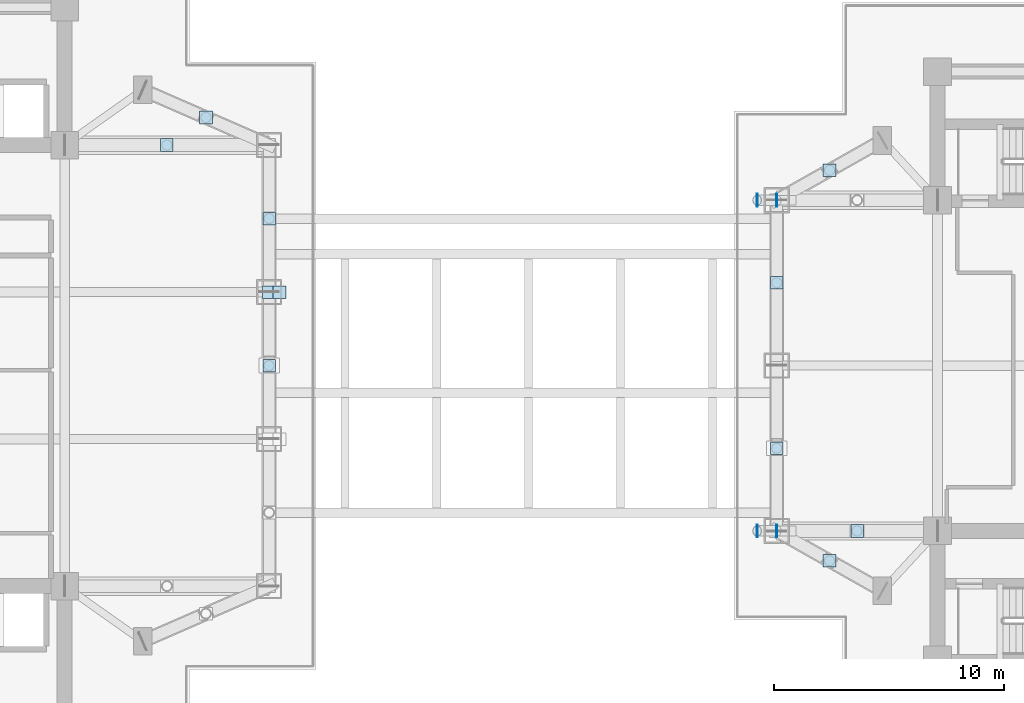
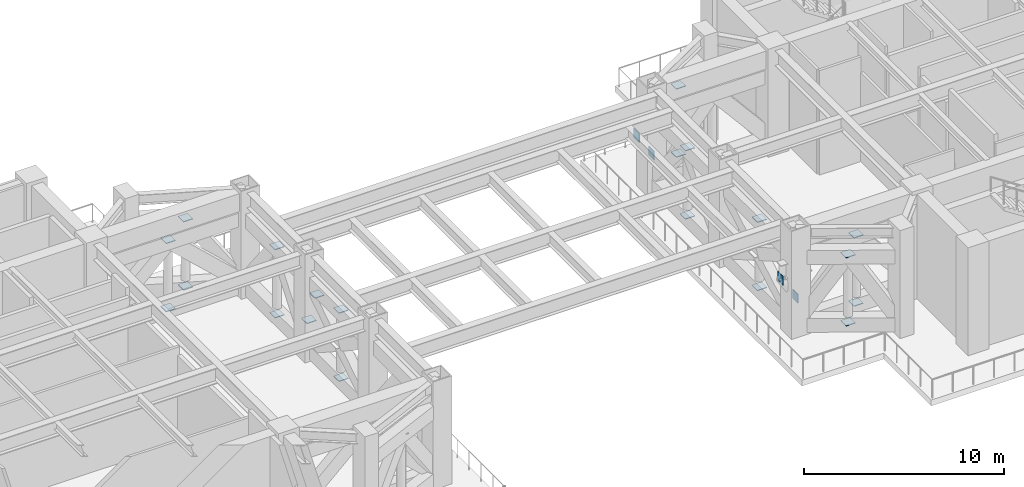
# One storey, part 10 of 21: 24 plates.
"""IFC4 building model written with IfcOpenShell, lengths in metres."""

from ifc_helpers import new_model, si_unit, direction, frame, origin, origin_2d, place, context, subcontext, project, spatial, rectangle, extrude, material, layer, layer_set, type_object, element, save


model = new_model("IFC4")

# Units and contexts
model_context = context("Model", 3, precision=1e-05, world=origin(), true_north=direction((0.0, 1.0)))
body_context = subcontext(model_context, "Body", "Model", "MODEL_VIEW")
ifc_project = project(units=[si_unit("LENGTHUNIT", "METRE"), si_unit("AREAUNIT", "SQUARE_METRE"), si_unit("VOLUMEUNIT", "CUBIC_METRE"), si_unit("PLANEANGLEUNIT", "RADIAN"), si_unit("MASSUNIT", "GRAM", prefix="KILO")], contexts=[model_context])

# Site, building, storey
site_placement = place(None, origin())
site = spatial("IfcSite", under=ifc_project, at=site_placement, CompositionType="ELEMENT")
building_placement = place(site_placement, origin())
building = spatial("IfcBuilding", under=site, at=building_placement, Name="Mirazonda Arch Towers", CompositionType="ELEMENT")
storey_placement = place(building_placement, frame((0.0, 0.0, 81.800048828125)))
storey = spatial("IfcBuildingStorey", under=building, at=storey_placement, Name="L23", CompositionType="ELEMENT", Elevation=81.800048828125)

# Plates
ifc_material = material(Name="Steel ASTM A572 Grade 50", Category="steel")
ifc_layer = layer(ifc_material, 0.030029296875, Name="PLATE-CAP-550x550x30")
ifc_layer_set = layer_set([ifc_layer], Name="Steel ASTM A572 Grade 50")
plate_type = type_object("IfcPlateType", Name="PLATE-CAP-550x550x30", PredefinedType="USERDEFINED", material=ifc_layer_set)
for number, where, z_axis, x_axis, name in (
    (1, (38.89990234375, 28.0, 0.52197265625), (0.0, 0.0, 1.0), (1.0, 0.0, 0.0), "Steel end closure plate NP-BLT-L23-T1-ST05A"),
    (2, (38.89990234375, 28.0, 4.68798828125), (0.0, 0.0, 1.0), (1.0, 0.0, 0.0), "Steel end closure plate NP-BLT-L23-T1-ST05B"),
    (3, (38.89990234375, 34.39990234375, 0.52197265625), (0.0, 0.0, 1.0), (1.0, 0.0, 0.0), "Steel end closure plate NP-BLT-L23-T1-ST06A"),
    (4, (38.89990234375, 34.39990234375, 4.68798828125), (0.0, 0.0, 1.0), (1.0, 0.0, 0.0), "Steel end closure plate NP-BLT-L23-T1-ST06B"),
    (5, (36.14990234375, 38.800048828125, 0.52197265625), (0.0, 0.0, 1.0), (1.0, 0.0, 0.0), "Steel end closure plate NP-BLT-L23-T1-ST10A"),
    (6, (36.14990234375, 38.800048828125, 4.68798828125), (0.0, 0.0, 1.0), (1.0, 0.0, 0.0), "Steel end closure plate NP-BLT-L23-T1-ST10B"),
    (7, (34.449951171875, 37.60009765625, 0.52197265625), (0.0, 0.0, 1.0), (1.0, 0.0, 0.0), "Steel end closure plate NP-OUT-L23-T1-ST04A"),
    (8, (34.449951171875, 37.60009765625, 4.68798828125), (0.0, 0.0, 1.0), (1.0, 0.0, 0.0), "Steel end closure plate NP-OUT-L23-T1-ST04B"),
    (9, (61.0, 24.39990234375, 0.52197265625), (0.0, 0.0, 1.0), (1.0, 0.0, 0.0), "Steel end closure plate NP-BLT-L23-T2-ST01A"),
    (10, (61.0, 24.39990234375, 4.68798828125), (0.0, 0.0, 1.0), (1.0, 0.0, 0.0), "Steel end closure plate NP-BLT-L23-T2-ST01B"),
    (11, (61.0, 31.60009765625, 0.52197265625), (0.0, 0.0, 1.0), (1.0, 0.0, 0.0), "Steel end closure plate NP-BLT-L23-T2-ST02A"),
    (12, (61.0, 31.60009765625, 4.68798828125), (0.0, 0.0, 1.0), (1.0, 0.0, 0.0), "Steel end closure plate NP-BLT-L23-T2-ST02B"),
    (13, (63.300048828125, 19.5, 0.52197265625), (0.0, 0.0, 1.0), (1.0, 0.0, 0.0), "Steel end closure plate NP-BLT-L23-T2-ST05A"),
    (14, (63.300048828125, 19.5, 4.68798828125), (0.0, 0.0, 1.0), (1.0, 0.0, 0.0), "Steel end closure plate NP-BLT-L23-T2-ST05B"),
    (15, (63.300048828125, 36.5, 0.52197265625), (0.0, 0.0, 1.0), (1.0, 0.0, 0.0), "Steel end closure plate NP-BLT-L23-T2-ST07A"),
    (16, (63.300048828125, 36.5, 4.68798828125), (0.0, 0.0, 1.0), (1.0, 0.0, 0.0), "Steel end closure plate NP-BLT-L23-T2-ST07B"),
    (17, (64.5, 20.800048828125, 0.52197265625), (0.0, 0.0, 1.0), (1.0, 0.0, 0.0), "Steel end closure plate NP-OUT-L23-T2-ST01A"),
    (18, (64.5, 20.800048828125, 4.68798828125), (0.0, 0.0, 1.0), (1.0, 0.0, 0.0), "Steel end closure plate NP-OUT-L23-T2-ST01B"),
    (19, (38.8974609375, 31.199951171875, 2.117431640625), (0.0, 0.0, 1.0), (1.0, 0.0, 0.0), "Steel end closure plate NP-SEAT-SB1-2A"),
    (20, (39.3525390625, 31.199951171875, 3.50244140625), (0.0, 0.0, 1.0), (1.0, 0.0, 0.0), "Steel end closure plate NP-SEAT-SB1-2B"),
):
    element("IfcPlate", number, at=place(storey_placement, frame(where, z_axis=z_axis, x_axis=x_axis)), inside=storey, type_object=plate_type, Name=name, ObjectType="CAP PLATE", PredefinedType="USERDEFINED", context=body_context, shape_type="SweptSolid", body=[
        extrude(rectangle(XDim=0.550048828125, YDim=0.550048828125, at=origin_2d()), origin(), (0.0, 0.0, 1.0), 0.0400390625),
    ])
for number, where, z_axis, x_axis, name in (
    (21, (61.004150390625, 20.800048828125, 1.86328125), (0.0, 0.0, 1.0), (1.0, 0.0, 0.0), "Steel end closure plate NP-SEAT-SB2-3A"),
    (22, (60.145751953125, 20.800048828125, 3.24658203125), (0.0, 0.0, 1.0), (-1.0, 0.0, 0.0), "Steel end closure plate NP-SEAT-SB2-3B"),
    (23, (61.004150390625, 35.199951171875, 1.86328125), (0.0, 0.0, 1.0), (1.0, 0.0, 0.0), "Steel end closure plate NP-SEAT-SB2-4A"),
    (24, (60.145751953125, 35.199951171875, 3.24658203125), (0.0, 0.0, 1.0), (-1.0, 0.0, 0.0), "Steel end closure plate NP-SEAT-SB2-4B"),
):
    element("IfcPlate", number, at=place(storey_placement, frame(where, z_axis=z_axis, x_axis=x_axis)), inside=storey, type_object=plate_type, Name=name, ObjectType="CAP PLATE", PredefinedType="USERDEFINED", context=body_context, shape_type="SweptSolid", body=[
        extrude(rectangle(XDim=0.0400390625, YDim=0.550048828125, at=origin_2d()), origin(), (0.0, 0.0, 1.0), 0.550048828125),
    ])

save(model, "model.ifc")
